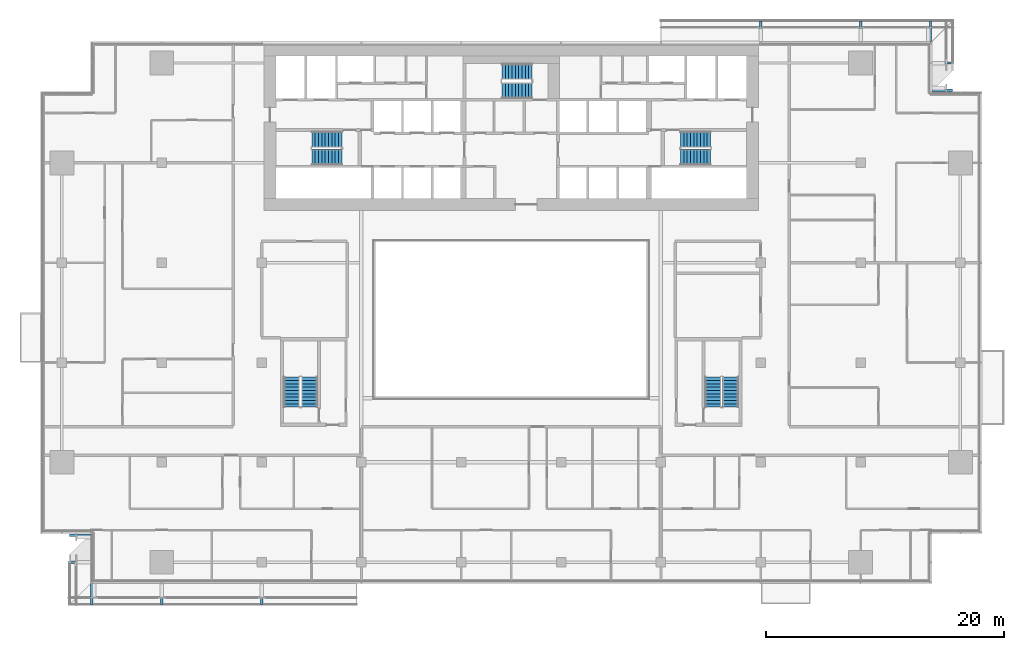
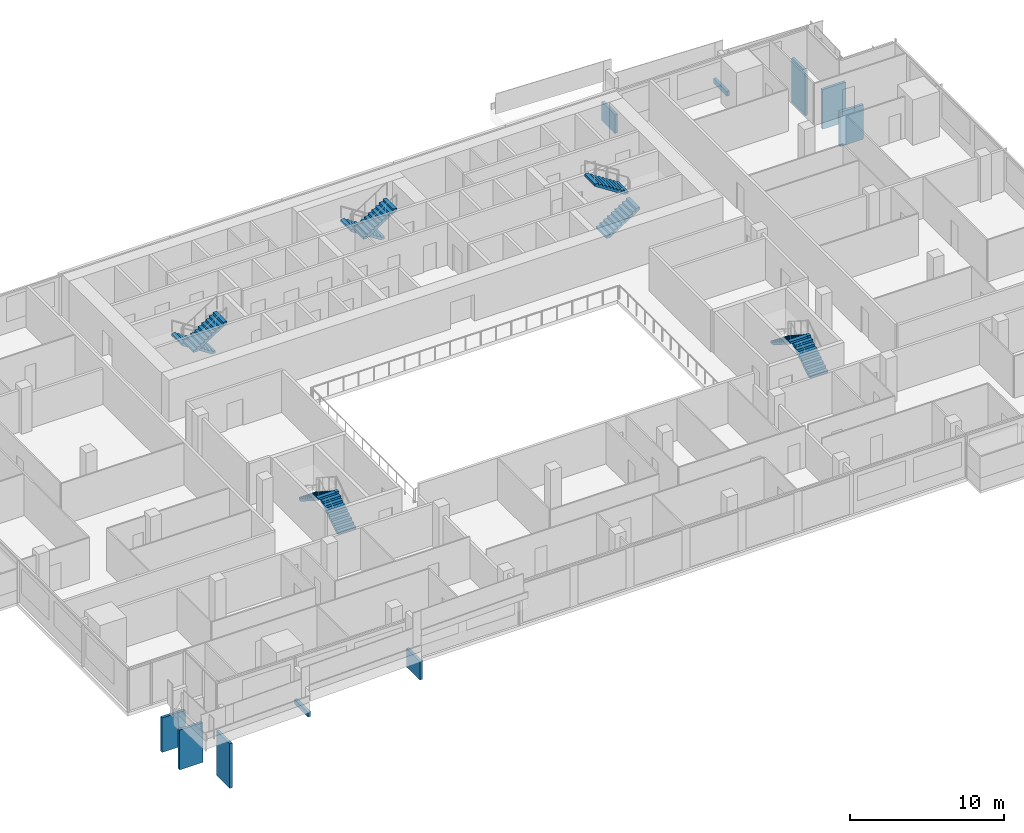
# One storey, part 24 of 29: 10 discrete accessories, 10 stair flights, 5 elements without a shape of their own.
"""IFC4 building model written with IfcOpenShell, lengths in metres."""

from ifc_helpers import new_model, si_unit, direction, frame, origin, origin_2d, place, context, subcontext, project, spatial, polyline, rectangle, outline, extrude, material, type_object, element, aggregate, save


model = new_model("IFC4")

# Units and contexts
model_context = context("Model", 3, precision=1e-05, world=origin(), true_north=direction((0.0, 1.0)))
body_context = subcontext(model_context, "Body", "Model", "MODEL_VIEW")
ifc_project = project(units=[si_unit("LENGTHUNIT", "METRE"), si_unit("AREAUNIT", "SQUARE_METRE"), si_unit("VOLUMEUNIT", "CUBIC_METRE"), si_unit("PLANEANGLEUNIT", "RADIAN"), si_unit("MASSUNIT", "GRAM", prefix="KILO")], contexts=[model_context])

# Site, building, storey
site_placement = place(None, origin())
site = spatial("IfcSite", under=ifc_project, at=site_placement, CompositionType="ELEMENT")
building_placement = place(site_placement, origin())
building = spatial("IfcBuilding", under=site, at=building_placement, Name="Saffron Gate Tower", CompositionType="ELEMENT")
storey_placement = place(building_placement, frame((0.0, 0.0, 116.85009765625)))
storey = spatial("IfcBuildingStorey", under=building, at=storey_placement, Name="L27", CompositionType="ELEMENT", Elevation=116.85009765625)

# Stair, stair flights
ifc_material = material(Name="Concrete C40", Category="concrete")
stair_type = type_object("IfcStairType", Name="ST7 Stair 1350 wide, 20 risers of 180", PredefinedType="HALF_TURN_STAIR", material=ifc_material)
stair_1_placement = place(storey_placement, origin())
stair_1 = element("IfcStair", 1, at=stair_1_placement, inside=storey, type_object=stair_type, Name="L27 Exit stair A", PredefinedType="HALF_TURN_STAIR")
stair_flight_type = type_object("IfcStairFlightType", Name="SF3 Stair flight 1350 wide, riser 180 going 280", PredefinedType="STRAIGHT", material=ifc_material)
stair_flight_1_placement = place(storey_placement, frame((73.35009765625, 67.375, 0.0), z_axis=(0.0, 0.0, 1.0), x_axis=(-1.0, 0.0, 0.0)))
stair_flight_1 = element("IfcStairFlight", 2, at=stair_flight_1_placement, type_object=stair_flight_type, Name="ST-A flight 1", NumberOfRisers=10, NumberOfTreads=9, PredefinedType="STRAIGHT", RiserHeight=0.18, TreadLength=0.28, context=body_context, shape_type="SweptSolid", body=[
    extrude(outline(polyline([(0.0, 0.0), (0.0, 0.179931640625), (0.280029296875, 0.179931640625), (0.280029296875, 0.360107421875), (0.56005859375, 0.360107421875), (0.56005859375, 0.5400390625), (0.840087890625, 0.5400390625), (0.840087890625, 0.719970703125), (1.1201171875, 0.719970703125), (1.1201171875, 0.89990234375), (1.39990234375, 0.89990234375), (1.39990234375, 1.080078125), (1.679931640625, 1.080078125), (1.679931640625, 1.260009765625), (1.9599609375, 1.260009765625), (1.9599609375, 1.43994140625), (2.239990234375, 1.43994140625), (2.239990234375, 1.6201171875), (2.52001953125, 1.6201171875), (2.52001953125, 1.800048828125), (2.52001953125, 1.44189453125), (0.277099609375, 0.0), (0.0, 0.0)])), frame((0.0, 0.675048828125, 0.0), z_axis=(0.0, -1.0, 0.0), x_axis=(1.0, 0.0, 0.0)), (0.0, 0.0, 1.0), 1.35009765625),
])
stair_flight_2_placement = place(storey_placement, frame((70.830078125, 65.875, 1.7998046875), z_axis=(0.0, 0.0, 1.0), x_axis=(1.0, 0.0, 0.0)))
stair_flight_2 = element("IfcStairFlight", 3, at=stair_flight_2_placement, type_object=stair_flight_type, Name="ST-A flight 2", NumberOfRisers=10, NumberOfTreads=9, PredefinedType="STRAIGHT", RiserHeight=0.18, TreadLength=0.28, context=body_context, shape_type="SweptSolid", body=[
    extrude(outline(polyline([(0.0, 0.0), (0.0, 0.179931640625), (0.280029296875, 0.179931640625), (0.280029296875, 0.360107421875), (0.56005859375, 0.360107421875), (0.56005859375, 0.5400390625), (0.840087890625, 0.5400390625), (0.840087890625, 0.719970703125), (1.1201171875, 0.719970703125), (1.1201171875, 0.89990234375), (1.39990234375, 0.89990234375), (1.39990234375, 1.080078125), (1.679931640625, 1.080078125), (1.679931640625, 1.260009765625), (1.9599609375, 1.260009765625), (1.9599609375, 1.43994140625), (2.239990234375, 1.43994140625), (2.239990234375, 1.6201171875), (2.52001953125, 1.6201171875), (2.52001953125, 1.800048828125), (2.52001953125, 1.44189453125), (0.277099609375, 0.0), (0.0, 0.0)])), frame((0.0, 0.675048828125, 0.0), z_axis=(0.0, -1.0, 0.0), x_axis=(1.0, 0.0, 0.0)), (0.0, 0.0, 1.0), 1.35009765625),
])
aggregate(stair_1, [stair_flight_1, stair_flight_2])

stair_2_placement = place(storey_placement, origin())
stair_2 = element("IfcStair", 4, at=stair_2_placement, inside=storey, type_object=stair_type, Name="L27 Exit stair B", PredefinedType="HALF_TURN_STAIR")
stair_flight_3_placement = place(storey_placement, frame((101.85009765625, 65.875, 0.0), z_axis=(0.0, 0.0, 1.0), x_axis=(1.0, 0.0, 0.0)))
stair_flight_3 = element("IfcStairFlight", 5, at=stair_flight_3_placement, type_object=stair_flight_type, Name="ST-B flight 1", NumberOfRisers=10, NumberOfTreads=9, PredefinedType="STRAIGHT", RiserHeight=0.18, TreadLength=0.28, context=body_context, shape_type="SweptSolid", body=[
    extrude(outline(polyline([(0.0, 0.0), (0.0, 0.179931640625), (0.280029296875, 0.179931640625), (0.280029296875, 0.360107421875), (0.56005859375, 0.360107421875), (0.56005859375, 0.5400390625), (0.840087890625, 0.5400390625), (0.840087890625, 0.719970703125), (1.1201171875, 0.719970703125), (1.1201171875, 0.89990234375), (1.39990234375, 0.89990234375), (1.39990234375, 1.080078125), (1.679931640625, 1.080078125), (1.679931640625, 1.260009765625), (1.9599609375, 1.260009765625), (1.9599609375, 1.43994140625), (2.239990234375, 1.43994140625), (2.239990234375, 1.6201171875), (2.52001953125, 1.6201171875), (2.52001953125, 1.800048828125), (2.52001953125, 1.44189453125), (0.277099609375, 0.0), (0.0, 0.0)])), frame((0.0, 0.675048828125, 0.0), z_axis=(0.0, -1.0, 0.0), x_axis=(1.0, 0.0, 0.0)), (0.0, 0.0, 1.0), 1.35009765625),
])
stair_flight_4_placement = place(storey_placement, frame((104.3701171875, 67.375, 1.7998046875), z_axis=(0.0, 0.0, 1.0), x_axis=(-1.0, 0.0, 0.0)))
stair_flight_4 = element("IfcStairFlight", 6, at=stair_flight_4_placement, type_object=stair_flight_type, Name="ST-B flight 2", NumberOfRisers=10, NumberOfTreads=9, PredefinedType="STRAIGHT", RiserHeight=0.18, TreadLength=0.28, context=body_context, shape_type="SweptSolid", body=[
    extrude(outline(polyline([(0.0, 0.0), (0.0, 0.179931640625), (0.280029296875, 0.179931640625), (0.280029296875, 0.360107421875), (0.56005859375, 0.360107421875), (0.56005859375, 0.5400390625), (0.840087890625, 0.5400390625), (0.840087890625, 0.719970703125), (1.1201171875, 0.719970703125), (1.1201171875, 0.89990234375), (1.39990234375, 0.89990234375), (1.39990234375, 1.080078125), (1.679931640625, 1.080078125), (1.679931640625, 1.260009765625), (1.9599609375, 1.260009765625), (1.9599609375, 1.43994140625), (2.239990234375, 1.43994140625), (2.239990234375, 1.6201171875), (2.52001953125, 1.6201171875), (2.52001953125, 1.800048828125), (2.52001953125, 1.44189453125), (0.277099609375, 0.0), (0.0, 0.0)])), frame((0.0, 0.675048828125, 0.0), z_axis=(0.0, -1.0, 0.0), x_axis=(1.0, 0.0, 0.0)), (0.0, 0.0, 1.0), 1.35009765625),
])
aggregate(stair_2, [stair_flight_3, stair_flight_4])

stair_3_placement = place(storey_placement, origin())
stair_3 = element("IfcStair", 7, at=stair_3_placement, inside=storey, type_object=stair_type, Name="L27 Exit stair C", PredefinedType="HALF_TURN_STAIR")
stair_flight_5_placement = place(storey_placement, frame((89.35009765625, 73.074951171875, 0.0), z_axis=(0.0, 0.0, 1.0), x_axis=(-1.0, 0.0, 0.0)))
stair_flight_5 = element("IfcStairFlight", 8, at=stair_flight_5_placement, type_object=stair_flight_type, Name="ST-C flight 1", NumberOfRisers=10, NumberOfTreads=9, PredefinedType="STRAIGHT", RiserHeight=0.18, TreadLength=0.28, context=body_context, shape_type="SweptSolid", body=[
    extrude(outline(polyline([(0.0, 0.0), (0.0, 0.179931640625), (0.280029296875, 0.179931640625), (0.280029296875, 0.360107421875), (0.56005859375, 0.360107421875), (0.56005859375, 0.5400390625), (0.840087890625, 0.5400390625), (0.840087890625, 0.719970703125), (1.1201171875, 0.719970703125), (1.1201171875, 0.89990234375), (1.39990234375, 0.89990234375), (1.39990234375, 1.080078125), (1.679931640625, 1.080078125), (1.679931640625, 1.260009765625), (1.9599609375, 1.260009765625), (1.9599609375, 1.43994140625), (2.239990234375, 1.43994140625), (2.239990234375, 1.6201171875), (2.52001953125, 1.6201171875), (2.52001953125, 1.800048828125), (2.52001953125, 1.44189453125), (0.277099609375, 0.0), (0.0, 0.0)])), frame((0.0, 0.675048828125, 0.0), z_axis=(0.0, -1.0, 0.0), x_axis=(1.0, 0.0, 0.0)), (0.0, 0.0, 1.0), 1.35009765625),
])
stair_flight_6_placement = place(storey_placement, frame((86.830078125, 71.47509765625, 1.7998046875), z_axis=(0.0, 0.0, 1.0), x_axis=(1.0, 0.0, 0.0)))
stair_flight_6 = element("IfcStairFlight", 9, at=stair_flight_6_placement, type_object=stair_flight_type, Name="ST-C flight 2", NumberOfRisers=10, NumberOfTreads=9, PredefinedType="STRAIGHT", RiserHeight=0.18, TreadLength=0.28, context=body_context, shape_type="SweptSolid", body=[
    extrude(outline(polyline([(0.0, 0.0), (0.0, 0.179931640625), (0.280029296875, 0.179931640625), (0.280029296875, 0.360107421875), (0.56005859375, 0.360107421875), (0.56005859375, 0.5400390625), (0.840087890625, 0.5400390625), (0.840087890625, 0.719970703125), (1.1201171875, 0.719970703125), (1.1201171875, 0.89990234375), (1.39990234375, 0.89990234375), (1.39990234375, 1.080078125), (1.679931640625, 1.080078125), (1.679931640625, 1.260009765625), (1.9599609375, 1.260009765625), (1.9599609375, 1.43994140625), (2.239990234375, 1.43994140625), (2.239990234375, 1.6201171875), (2.52001953125, 1.6201171875), (2.52001953125, 1.800048828125), (2.52001953125, 1.44189453125), (0.277099609375, 0.0), (0.0, 0.0)])), frame((0.0, 0.675048828125, 0.0), z_axis=(0.0, -1.0, 0.0), x_axis=(1.0, 0.0, 0.0)), (0.0, 0.0, 1.0), 1.35009765625),
])
aggregate(stair_3, [stair_flight_5, stair_flight_6])

stair_4_placement = place(storey_placement, origin())
stair_4 = element("IfcStair", 10, at=stair_4_placement, inside=storey, type_object=stair_type, Name="L27 Exit stair D", PredefinedType="HALF_TURN_STAIR")
stair_flight_7_placement = place(storey_placement, frame((70.625, 44.85009765625, 0.0), z_axis=(0.0, 0.0, 1.0), x_axis=(0.0, 1.0, 0.0)))
stair_flight_7 = element("IfcStairFlight", 11, at=stair_flight_7_placement, type_object=stair_flight_type, Name="ST-D flight 1", NumberOfRisers=10, NumberOfTreads=9, PredefinedType="STRAIGHT", RiserHeight=0.18, TreadLength=0.28, context=body_context, shape_type="SweptSolid", body=[
    extrude(outline(polyline([(0.0, 0.0), (0.0, 0.179931640625), (0.280029296875, 0.179931640625), (0.280029296875, 0.360107421875), (0.56005859375, 0.360107421875), (0.56005859375, 0.5400390625), (0.840087890625, 0.5400390625), (0.840087890625, 0.719970703125), (1.1201171875, 0.719970703125), (1.1201171875, 0.89990234375), (1.39990234375, 0.89990234375), (1.39990234375, 1.080078125), (1.679931640625, 1.080078125), (1.679931640625, 1.260009765625), (1.9599609375, 1.260009765625), (1.9599609375, 1.43994140625), (2.239990234375, 1.43994140625), (2.239990234375, 1.6201171875), (2.52001953125, 1.6201171875), (2.52001953125, 1.800048828125), (2.52001953125, 1.44189453125), (0.277099609375, 0.0), (0.0, 0.0)])), frame((0.0, 0.675048828125, 0.0), z_axis=(0.0, -1.0, 0.0), x_axis=(1.0, 0.0, 0.0)), (0.0, 0.0, 1.0), 1.35009765625),
])
stair_flight_8_placement = place(storey_placement, frame((69.125, 47.3701171875, 1.7998046875), z_axis=(0.0, 0.0, 1.0), x_axis=(0.0, -1.0, 0.0)))
stair_flight_8 = element("IfcStairFlight", 12, at=stair_flight_8_placement, type_object=stair_flight_type, Name="ST-D flight 2", NumberOfRisers=10, NumberOfTreads=9, PredefinedType="STRAIGHT", RiserHeight=0.18, TreadLength=0.28, context=body_context, shape_type="SweptSolid", body=[
    extrude(outline(polyline([(0.0, 0.0), (0.0, 0.179931640625), (0.280029296875, 0.179931640625), (0.280029296875, 0.360107421875), (0.56005859375, 0.360107421875), (0.56005859375, 0.5400390625), (0.840087890625, 0.5400390625), (0.840087890625, 0.719970703125), (1.1201171875, 0.719970703125), (1.1201171875, 0.89990234375), (1.39990234375, 0.89990234375), (1.39990234375, 1.080078125), (1.679931640625, 1.080078125), (1.679931640625, 1.260009765625), (1.9599609375, 1.260009765625), (1.9599609375, 1.43994140625), (2.239990234375, 1.43994140625), (2.239990234375, 1.6201171875), (2.52001953125, 1.6201171875), (2.52001953125, 1.800048828125), (2.52001953125, 1.44189453125), (0.277099609375, 0.0), (0.0, 0.0)])), frame((0.0, 0.675048828125, 0.0), z_axis=(0.0, -1.0, 0.0), x_axis=(1.0, 0.0, 0.0)), (0.0, 0.0, 1.0), 1.35009765625),
])
aggregate(stair_4, [stair_flight_7, stair_flight_8])

stair_5_placement = place(storey_placement, origin())
stair_5 = element("IfcStair", 13, at=stair_5_placement, inside=storey, type_object=stair_type, Name="L27 Exit stair E", PredefinedType="HALF_TURN_STAIR")
stair_flight_9_placement = place(storey_placement, frame((106.074951171875, 44.85009765625, 0.0), z_axis=(0.0, 0.0, 1.0), x_axis=(0.0, 1.0, 0.0)))
stair_flight_9 = element("IfcStairFlight", 14, at=stair_flight_9_placement, type_object=stair_flight_type, Name="ST-E flight 1", NumberOfRisers=10, NumberOfTreads=9, PredefinedType="STRAIGHT", RiserHeight=0.18, TreadLength=0.28, context=body_context, shape_type="SweptSolid", body=[
    extrude(outline(polyline([(0.0, 0.0), (0.0, 0.179931640625), (0.280029296875, 0.179931640625), (0.280029296875, 0.360107421875), (0.56005859375, 0.360107421875), (0.56005859375, 0.5400390625), (0.840087890625, 0.5400390625), (0.840087890625, 0.719970703125), (1.1201171875, 0.719970703125), (1.1201171875, 0.89990234375), (1.39990234375, 0.89990234375), (1.39990234375, 1.080078125), (1.679931640625, 1.080078125), (1.679931640625, 1.260009765625), (1.9599609375, 1.260009765625), (1.9599609375, 1.43994140625), (2.239990234375, 1.43994140625), (2.239990234375, 1.6201171875), (2.52001953125, 1.6201171875), (2.52001953125, 1.800048828125), (2.52001953125, 1.44189453125), (0.277099609375, 0.0), (0.0, 0.0)])), frame((0.0, 0.675048828125, 0.0), z_axis=(0.0, -1.0, 0.0), x_axis=(1.0, 0.0, 0.0)), (0.0, 0.0, 1.0), 1.35009765625),
])
stair_flight_10_placement = place(storey_placement, frame((104.574951171875, 47.3701171875, 1.7998046875), z_axis=(0.0, 0.0, 1.0), x_axis=(0.0, -1.0, 0.0)))
stair_flight_10 = element("IfcStairFlight", 15, at=stair_flight_10_placement, type_object=stair_flight_type, Name="ST-E flight 2", NumberOfRisers=10, NumberOfTreads=9, PredefinedType="STRAIGHT", RiserHeight=0.18, TreadLength=0.28, context=body_context, shape_type="SweptSolid", body=[
    extrude(outline(polyline([(0.0, 0.0), (0.0, 0.179931640625), (0.280029296875, 0.179931640625), (0.280029296875, 0.360107421875), (0.56005859375, 0.360107421875), (0.56005859375, 0.5400390625), (0.840087890625, 0.5400390625), (0.840087890625, 0.719970703125), (1.1201171875, 0.719970703125), (1.1201171875, 0.89990234375), (1.39990234375, 0.89990234375), (1.39990234375, 1.080078125), (1.679931640625, 1.080078125), (1.679931640625, 1.260009765625), (1.9599609375, 1.260009765625), (1.9599609375, 1.43994140625), (2.239990234375, 1.43994140625), (2.239990234375, 1.6201171875), (2.52001953125, 1.6201171875), (2.52001953125, 1.800048828125), (2.52001953125, 1.44189453125), (0.277099609375, 0.0), (0.0, 0.0)])), frame((0.0, 0.675048828125, 0.0), z_axis=(0.0, -1.0, 0.0), x_axis=(1.0, 0.0, 0.0)), (0.0, 0.0, 1.0), 1.35009765625),
])
aggregate(stair_5, [stair_flight_9, stair_flight_10])

# Discrete accessories
discrete_accessory_1_placement = place(storey_placement, frame((123.875, 71.52001953125, -3.8798828125), z_axis=(0.0, 0.0, 1.0), x_axis=(0.0, 1.0, 0.0)))
element("IfcDiscreteAccessory", 16, at=discrete_accessory_1_placement, inside=storey, Name="LEDGE rib", PredefinedType="BRACKET", context=body_context, shape_type="SweptSolid", body=[
    extrude(rectangle(XDim=0.199951171875, YDim=1.75, at=origin_2d()), origin(), (0.0, 0.0, 1.0), 2.744873046875),
])
discrete_accessory_2_placement = place(storey_placement, frame((123.875, 73.800048828125, -3.8798828125), z_axis=(0.0, 0.0, 1.0), x_axis=(0.0, 1.0, 0.0)))
element("IfcDiscreteAccessory", 17, at=discrete_accessory_2_placement, inside=storey, Name="LEDGE rib", PredefinedType="BRACKET", context=body_context, shape_type="SweptSolid", body=[
    extrude(rectangle(XDim=0.199951171875, YDim=1.75, at=origin_2d()), origin(), (0.0, 0.0, 1.0), 3.156982421875),
])
discrete_accessory_3_placement = place(storey_placement, frame((122.8798828125, 76.47509765625, -3.880126953125), z_axis=(0.0, 0.0, 1.0), x_axis=(-1.0, 0.0, 0.0)))
element("IfcDiscreteAccessory", 18, at=discrete_accessory_3_placement, inside=storey, Name="LEDGE rib", PredefinedType="BRACKET", context=body_context, shape_type="SweptSolid", body=[
    extrude(rectangle(XDim=0.199951171875, YDim=1.75, at=origin_2d()), origin(), (0.0, 0.0, 1.0), 3.5517578125),
])
discrete_accessory_4_placement = place(storey_placement, frame((117.0, 76.47509765625, -0.280029296875), z_axis=(0.0, 0.0, 1.0), x_axis=(-1.0, 0.0, 0.0)))
element("IfcDiscreteAccessory", 19, at=discrete_accessory_4_placement, inside=storey, Name="LEDGE rib", PredefinedType="BRACKET", context=body_context, shape_type="SweptSolid", body=[
    extrude(rectangle(XDim=0.199951171875, YDim=1.75, at=origin_2d()), origin(), (0.0, 0.0, 1.0), 0.3818359375),
])
discrete_accessory_5_placement = place(storey_placement, frame((108.60009765625, 76.47509765625, -0.2802734375), z_axis=(0.0, 0.0, 1.0), x_axis=(-1.0, 0.0, 0.0)))
element("IfcDiscreteAccessory", 20, at=discrete_accessory_5_placement, inside=storey, Name="LEDGE rib", PredefinedType="BRACKET", context=body_context, shape_type="SweptSolid", body=[
    extrude(rectangle(XDim=0.199951171875, YDim=1.75, at=origin_2d()), origin(), (0.0, 0.0, 1.0), 1.481201171875),
])
discrete_accessory_6_placement = place(storey_placement, frame((51.324951171875, 34.080078125, -3.8798828125), z_axis=(0.0, 0.0, 1.0), x_axis=(0.0, -1.0, 0.0)))
element("IfcDiscreteAccessory", 21, at=discrete_accessory_6_placement, inside=storey, Name="LEDGE rib", PredefinedType="BRACKET", context=body_context, shape_type="SweptSolid", body=[
    extrude(rectangle(XDim=0.199951171875, YDim=1.75, at=origin_2d()), origin(), (0.0, 0.0, 1.0), 2.744873046875),
])
discrete_accessory_7_placement = place(storey_placement, frame((51.324951171875, 31.800048828125, -3.8798828125), z_axis=(0.0, 0.0, 1.0), x_axis=(0.0, -1.0, 0.0)))
element("IfcDiscreteAccessory", 22, at=discrete_accessory_7_placement, inside=storey, Name="LEDGE rib", PredefinedType="BRACKET", context=body_context, shape_type="SweptSolid", body=[
    extrude(rectangle(XDim=0.199951171875, YDim=1.75, at=origin_2d()), origin(), (0.0, 0.0, 1.0), 3.156982421875),
])
discrete_accessory_8_placement = place(storey_placement, frame((52.320068359375, 29.125, -3.880126953125), z_axis=(0.0, 0.0, 1.0), x_axis=(1.0, 0.0, 0.0)))
element("IfcDiscreteAccessory", 23, at=discrete_accessory_8_placement, inside=storey, Name="LEDGE rib", PredefinedType="BRACKET", context=body_context, shape_type="SweptSolid", body=[
    extrude(rectangle(XDim=0.199951171875, YDim=1.75, at=origin_2d()), origin(), (0.0, 0.0, 1.0), 3.5517578125),
])
discrete_accessory_9_placement = place(storey_placement, frame((58.199951171875, 29.125, -0.280029296875), z_axis=(0.0, 0.0, 1.0), x_axis=(1.0, 0.0, 0.0)))
element("IfcDiscreteAccessory", 24, at=discrete_accessory_9_placement, inside=storey, Name="LEDGE rib", PredefinedType="BRACKET", context=body_context, shape_type="SweptSolid", body=[
    extrude(rectangle(XDim=0.199951171875, YDim=1.75, at=origin_2d()), origin(), (0.0, 0.0, 1.0), 0.3818359375),
])
discrete_accessory_10_placement = place(storey_placement, frame((66.60009765625, 29.125, -0.2802734375), z_axis=(0.0, 0.0, 1.0), x_axis=(1.0, 0.0, 0.0)))
element("IfcDiscreteAccessory", 25, at=discrete_accessory_10_placement, inside=storey, Name="LEDGE rib", PredefinedType="BRACKET", context=body_context, shape_type="SweptSolid", body=[
    extrude(rectangle(XDim=0.199951171875, YDim=1.75, at=origin_2d()), origin(), (0.0, 0.0, 1.0), 1.481201171875),
])

save(model, "model.ifc")
